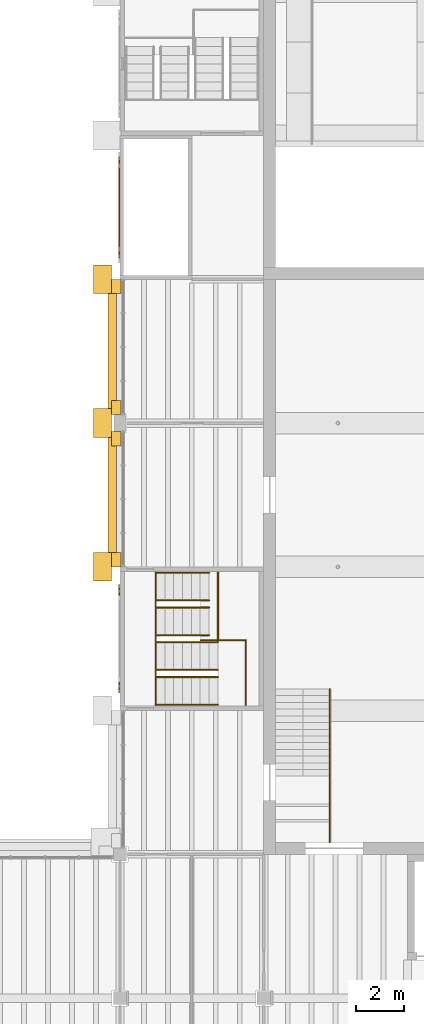
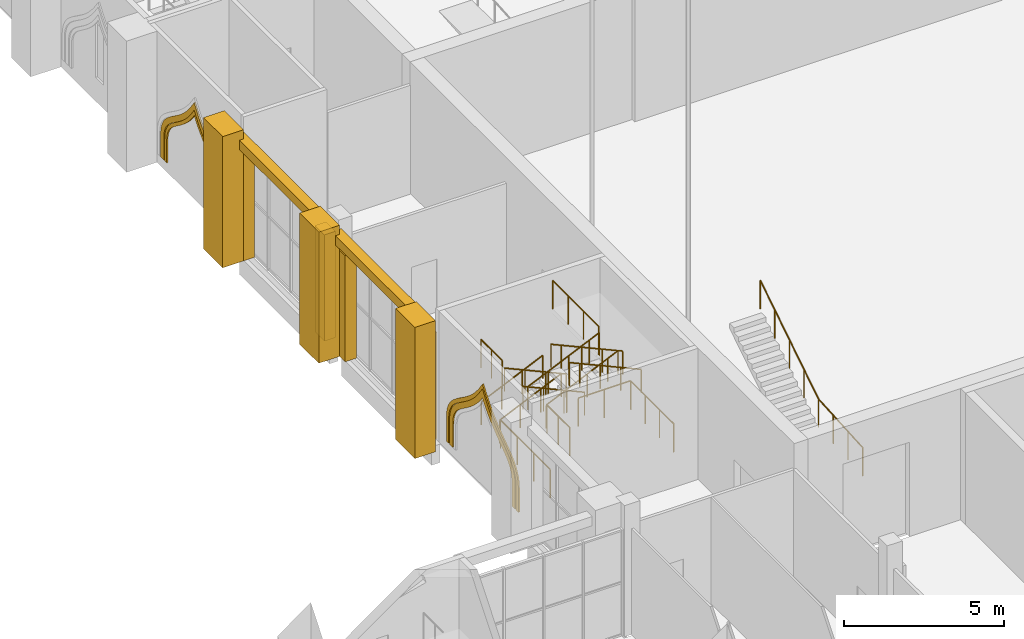
# One storey, part 63 of 80: 15 railings, 13 coverings.
"""IFC4 building model written with IfcOpenShell, lengths in metres."""

from ifc_helpers import new_model, si_unit, direction, frame, origin, origin_2d, place, context, subcontext, project, spatial, polyline, rectangle, circle, outline, extrude, material, layer, layer_set, type_object, element, save


model = new_model("IFC4")

# Units and contexts
model_context = context("Model", 3, precision=1e-05, world=origin(), true_north=direction((0.0, 1.0)))
body_context = subcontext(model_context, "Body", "Model", "MODEL_VIEW")
ifc_project = project(units=[si_unit("LENGTHUNIT", "METRE"), si_unit("AREAUNIT", "SQUARE_METRE"), si_unit("VOLUMEUNIT", "CUBIC_METRE"), si_unit("PLANEANGLEUNIT", "RADIAN"), si_unit("MASSUNIT", "GRAM", prefix="KILO")], contexts=[model_context])

# Site, building, storey
site_placement = place(None, origin())
site = spatial("IfcSite", under=ifc_project, at=site_placement, CompositionType="ELEMENT")
building_placement = place(site_placement, origin())
building = spatial("IfcBuilding", under=site, at=building_placement, Name="Saffron Lane Theatres", CompositionType="ELEMENT")
storey_placement = place(building_placement, frame((0.0, 0.0, 7.0)))
storey = spatial("IfcBuildingStorey", under=building, at=storey_placement, Name="L01", CompositionType="ELEMENT", Elevation=7.0)

# Coverings
ifc_material_1 = material(Name="Masonry sandstone", Category="masonry")
ifc_layer_1 = layer(ifc_material_1, 0.050048828125)
ifc_layer_set_1 = layer_set([ifc_layer_1], Name="Masonry sandstone")
covering_type_1 = type_object("IfcCoveringType", Name="EX-ARCH FRAME RING SANDSTONE 50", PredefinedType="CLADDING", material=ifc_layer_set_1)
covering_1_placement = place(storey_placement, frame((12.0, 36.962890625, 1.489013671875), z_axis=(1.0, 0.0, 0.0), x_axis=(0.0, -0.067277250526, -0.997734319126)))
element("IfcCovering", 1, at=covering_1_placement, inside=storey, type_object=covering_type_1, Name="Arch recess ring L01", PredefinedType="CLADDING", context=body_context, shape_type="SweptSolid", body=[
    extrude(outline(polyline([(0.0, 0.0), (0.19233029031026627, 1.734723475976807e-18), (1.0875142802486646, 0.060362279219764774), (1.0740621151654026, 0.2598604255488935), (0.18496781223338807, 0.19990877407892305), (0.015584020397099685, 0.20072197197738367), (-0.12930993244145556, 0.22300681743565523), (-0.25737744477051455, 0.26428900709195824), (-0.3738324043353903, 0.32568513851799763), (-0.4833823096412719, 0.4044308347113844), (-0.5899409854822366, 0.5005068813925055), (-0.6969186565818595, 0.6136833270214763), (-0.806455545762842, 0.7394113458537827), (-0.9222383154489977, 0.8779317362000586), (-1.0464893140129872, 1.0259136097170674), (-1.1832181277392173, 1.1811290396929053), (-1.336190755431839, 1.3413665245256616), (-1.5076131203535217, 1.5030515883918443), (-1.7018369469288772, 1.6654014043510899), (-1.9220589334515876, 1.8250193836201942), (-2.049700012736332, 1.9035239715952115), (-1.9337536117657297, 1.998453669562001), (-1.7369538320912872, 2.1861914371370204), (-1.5662836132441338, 2.3731460678639418), (-1.4181192040708015, 2.55638087603933), (-1.288043179706711, 2.735704338682526), (-1.1733897138094234, 2.9078704821698738), (-1.0701300058149192, 3.071193408419198), (-0.9739916676789238, 3.224003644458316), (-0.88232529816899, 3.363298804143827), (-0.7915099353012716, 3.489812439086117), (-0.6988140522933629, 3.5993242257405087), (-0.6008274244216893, 3.6920641156468856), (-0.493669077112157, 3.768538498045372), (-0.3723030096597413, 3.8266400003332506), (-0.23179456118898933, 3.869393012103157), (-0.06397115480191937, 3.8917206248289538), (0.8251231481300952, 3.9516722762989245), (0.8116709830468334, 4.151170422628053), (-0.08351300689156488, 4.090808143408289), (-0.27410223554270324, 4.064987870501222), (-0.4451520913660816, 4.014302770236232), (-0.5955924629503493, 3.941027255485577), (-0.7275034510174831, 3.846978625211365), (-0.844380195010638, 3.73681510258881), (-0.9502679206038257, 3.612466173180341), (-1.0472960038489982, 3.476479898388833), (-1.1427584332134457, 3.3317901747481002), (-1.2394961329102734, 3.176981963536964), (-1.3410042423826358, 3.0167134879306374), (-1.452105235905665, 2.849925483288521), (-1.5768114889333888, 2.678060260212532), (-1.7181938772187972, 2.503113004705068), (-1.8797940263653994, 2.3268024650682873), (-2.066256523608039, 2.1490601516926002), (-2.3929147724161153, 1.8803809916168037), (-2.033143501864625, 1.6579877914978223), (-1.8245728065730595, 1.5078613564498122), (-1.6407002082776134, 1.3538672728603436), (-1.4771110712833284, 1.199484255062579), (-1.3304608713065962, 1.045916604517425), (-1.197974384574279, 0.8955537098670809), (-1.0758691871722335, 0.7503634852332024), (-0.9592899546053444, 0.6109180202958803), (-0.8452014505102268, 0.4793795413270504), (-0.7307956008937585, 0.35765026200840155), (-0.6091726199284526, 0.24864238533224842), (-0.47856448398217566, 0.15516677446133414), (-0.335221619360768, 0.07967851847782517), (-0.17630589102074565, 0.02726289341672148), (0.0, 0.0)])), origin(), (0.0, 0.0, -1.0), 0.050048828125),
])
covering_2_placement = place(storey_placement, frame((12.0, 36.763916015625, 1.5029296875), z_axis=(1.0, 0.0, 0.0), x_axis=(0.0, -0.067065646472, -0.997748565052)))
element("IfcCovering", 2, at=covering_2_placement, inside=storey, type_object=covering_type_1, Name="Arch recess ring L01", PredefinedType="CLADDING", context=body_context, shape_type="SweptSolid", body=[
    extrude(outline(polyline([(0.0, 0.0), (0.2074984191926236, 1.734723475976807e-18), (1.1014772360238896, 0.06009055726342236), (1.0920952498353498, 0.19966817634906692), (0.20201388833631823, 0.13983959426717446), (0.011615956568756983, 0.14025496281157382), (-0.1545495581607764, 0.1660342398852799), (-0.3013217281198837, 0.216362774594851), (-0.435308245304982, 0.2876154279151693), (-0.5608118797206071, 0.37827952297569045), (-0.6813411454755376, 0.4895873772421637), (-0.8002551848645222, 0.616908751733141), (-0.9221167322992069, 0.7589581870874968), (-1.0488253950991717, 0.9148739228396727), (-1.186176225141812, 1.079861985519764), (-1.3360197094001713, 1.2523298417874185), (-1.5023331596762923, 1.4295632334296131), (-1.689857407544703, 1.6092859638033192), (-1.9023752941957186, 1.789530921019154), (-2.1427587800075587, 1.9657006129933605), (-2.3310778582787033, 2.0844417257822565), (-2.1603438640677535, 2.227317302169595), (-1.945699439841227, 2.434072596587418), (-1.7592153368547458, 2.6411372630123773), (-1.5974301505716484, 2.844339519030701), (-1.456331811517781, 3.0422362031160675), (-1.3309175129370854, 3.2332060565792715), (-1.2168824740506068, 3.4150915184680417), (-1.1121797264991542, 3.5865620306235555), (-1.01042477424689, 3.74364229201819), (-0.9096852630765426, 3.886706881200974), (-0.805070989599554, 4.01216943836774), (-0.6928953425442629, 4.119788383334645), (-0.5695843140065082, 4.207357034802879), (-0.4308678808794456, 4.276875251559516), (-0.2696471477012892, 4.324660443881734), (-0.08101754840905481, 4.350552898829916), (0.8090638130899768, 4.410381480911808), (0.799681826901437, 4.549959099997453), (-0.09429698992982904, 4.4898685427340315), (-0.299928835954052, 4.462099173491861), (-0.48175454911721033, 4.407790454445362), (-0.6417883508808035, 4.327785761836828), (-0.782322811336707, 4.22706951819905), (-0.9076463378150302, 4.107555693526036), (-1.0206021653451405, 3.9715000894631314), (-1.1270384876998094, 3.8221799810608545), (-1.2304638189878152, 3.660827685784956), (-1.3361409303723266, 3.48929167983406), (-1.4482927353880704, 3.3085115693691134), (-1.5720202814841786, 3.1215701588289084), (-1.7092559228779225, 2.928092869664417), (-1.8663186618097571, 2.7310806390702025), (-2.046457047981351, 2.531538567002596), (-2.253455933357439, 2.3311697793950295), (-2.5685790425867374, 2.0684776131577776), (-2.2211347453361867, 1.85032122778061), (-1.9891827239193753, 1.6794573949928497), (-1.7839602141162927, 1.5058181189990123), (-1.6019443391437345, 1.3315977291979), (-1.440050283788488, 1.1582270352158286), (-1.292417502377776, 0.9895256466896438), (-1.1570808937966353, 0.8253809602518462), (-1.0293978671636117, 0.6695307182950527), (-0.9053092434324345, 0.5234712242409627), (-0.7798469735191562, 0.38973863913971574), (-0.6496990247011458, 0.27002373702473836), (-0.5095084066710004, 0.16835697159344964), (-0.356759353376265, 0.08735436036579791), (-0.18752367336143377, 0.030460934429599087), (0.0, 0.0)])), origin(), (0.0, 0.0, -1.0), 0.050048828125),
])
covering_3_placement = place(storey_placement, frame((12.0, 55.172119140625, 1.409912109375), z_axis=(1.0, 0.0, 0.0), x_axis=(0.0, -0.070052199931, -0.997543327021)))
element("IfcCovering", 3, at=covering_3_placement, inside=storey, type_object=covering_type_1, Name="Arch recess ring L01", PredefinedType="CLADDING", context=body_context, shape_type="SweptSolid", body=[
    extrude(outline(polyline([(0.0, 0.0), (0.17425621553607237, 0.0), (1.0083836313192909, 0.05857636346792266), (0.9999691580853587, 0.17839846231911788), (0.16998193677464074, 0.12011284284505058), (0.008475358446763137, 0.11978447315787273), (-0.13122884085953554, 0.14007703572194855), (-0.25643688668396236, 0.1804774529010626), (-0.36863123134342224, 0.2376999755128916), (-0.475135202965496, 0.3114750667725438), (-0.5766623215162807, 0.40150787806507393), (-0.6771475504137906, 0.504585175180744), (-0.7805046458670767, 0.6206768575648959), (-0.8874854376390734, 0.7465484837988279), (-1.0033794141074037, 0.8808496335440211), (-1.1304680604944384, 1.021217413259825), (-1.2708235263469732, 1.16579311369611), (-1.4294062462519381, 1.3120257128456132), (-1.6092454305735489, 1.457744550255386), (-1.8116655037167557, 1.600898683587597), (-1.9675111254583906, 1.6942145076483905), (-1.8262369085852725, 1.8083954889152765), (-1.6458107634478316, 1.9784348903851732), (-1.4881023278349776, 2.147857914588097), (-1.3515135359357788, 2.314818850240701), (-1.2327415359800378, 2.477591704174759), (-1.1265180467990952, 2.634343763073707), (-1.0305314826159215, 2.7835241642691466), (-0.9421925116264172, 2.923112065977903), (-0.8560748247499679, 3.052509561727907), (-0.7710503352904147, 3.169593194208742), (-0.6830342611599683, 3.2719576554618297), (-0.5878864078861283, 3.3598936894810265), (-0.48479063997555455, 3.4322348997733356), (-0.3664578344764139, 3.4897379048262955), (-0.2309608717870813, 3.5293563916878172), (-0.07099352636784984, 3.551603437994116), (0.7589936949428681, 3.6098890574681834), (0.7505792217089358, 3.7297111563193788), (-0.08354819407428274, 3.6711347928514564), (-0.2560941508229705, 3.6467807077190995), (-0.41031365850955975, 3.6019315653822406), (-0.5452154511408824, 3.5364122353410514), (-0.6637521194874794, 3.4539312427500963), (-0.7689145641167288, 3.3552575199601846), (-0.8653088539948147, 3.243249251456792), (-0.955088546986812, 3.1206921067528115), (-1.042043576565565, 2.9892778738407233), (-1.1314634311086964, 2.847656132382009), (-1.2263691117382427, 2.7005095709365277), (-1.330849505163083, 2.5468168229564525), (-1.4460155954915024, 2.388457804900878), (-1.5790497855270011, 2.226641327680726), (-1.7308537237022885, 2.0637514920456117), (-1.905776940165441, 1.8989933697111585), (-2.17500793078607, 1.679643102779874), (-1.8777629012280812, 1.5000734552431552), (-1.6815298602741167, 1.361379676828443), (-1.5084503027837648, 1.2213046934170393), (-1.354106288257454, 1.0796692698880261), (-1.2179382200199516, 0.9389601225182603), (-1.0930031314979913, 0.8013780123153483), (-0.9784636799892698, 0.6689396764413744), (-0.8701283632576645, 0.5412052363362231), (-0.7656602836960934, 0.423233637492978), (-0.6596331322239424, 0.31442697343956955), (-0.5485306167743488, 0.2169901098046939), (-0.43060964159121035, 0.13398235750722476), (-0.3017088049930627, 0.0688775941960976), (-0.15897402711551847, 0.02285521433109288), (0.0, 0.0)])), origin(), (0.0, 0.0, -1.0), 0.050048828125),
])
covering_4_placement = place(storey_placement, frame((12.0, 54.9130859375, 1.43408203125), z_axis=(1.0, 0.0, 0.0), x_axis=(0.0, -0.066765192838, -0.997768715197)))
element("IfcCovering", 4, at=covering_4_placement, inside=storey, type_object=covering_type_1, Name="Arch recess ring L01", PredefinedType="CLADDING", context=body_context, shape_type="SweptSolid", body=[
    extrude(outline(polyline([(0.0, 0.0), (0.19746207851001016, -1.734723475976807e-18), (1.032752343258408, 0.05589302886792253), (1.0193862646139937, 0.2556416486094466), (0.19018589680893505, 0.20015612213921966), (0.01570333128541921, 0.20047035176588712), (-0.1331419000577435, 0.22354313752340954), (-0.26425806041849825, 0.2668878092249602), (-0.38470943025111837, 0.33003166408921236), (-0.49751605510296987, 0.4105704379697621), (-0.6073877571305295, 0.5094124084330288), (-0.717182486482969, 0.6253875908171841), (-0.8291243006908221, 0.7551662377526137), (-0.9480362170210368, 0.8976915596879602), (-1.0753952052750386, 1.0494391136635992), (-1.215228294702943, 1.2084266269049624), (-1.3715462144589585, 1.3724282307597484), (-1.5480997977236517, 1.5389907607938302), (-1.7475513934952998, 1.7040210818125767), (-1.9731329485680709, 1.8682816760801204), (-2.106857124274077, 1.9506016882190418), (-1.9853580204989376, 2.050978584380295), (-1.7836072056434027, 2.242855163359225), (-1.6079863500889906, 2.433962015586952), (-1.455133106274271, 2.621587891777475), (-1.32205912328281, 2.804954009570754), (-1.204654965824069, 2.9811544240907777), (-1.0986491032093144, 3.14851746994611), (-0.9997863048457212, 3.3056150776230493), (-0.9061331982464446, 3.4491510055046812), (-0.81276896556909, 3.5787204678759603), (-0.71704574678952, 3.691319719285429), (-0.6159751909913005, 3.7861699773730466), (-0.505010476977033, 3.86479892334973), (-0.3808381574730106, 3.9252260955626785), (-0.2363939520249598, 3.9679241967932186), (-0.06350879590041061, 3.9914823631844407), (0.7656915719046481, 4.046967889654668), (0.7523254932602339, 4.246716509396191), (-0.082964771488164, 4.190823480528269), (-0.2786664396401293, 4.164515125733044), (-0.45359091887492387, 4.112926227745671), (-0.6078197096720868, 4.037274765954816), (-0.7428804932425346, 3.9421075615578793), (-0.8625413084236253, 3.828885284260379), (-0.9702297031604206, 3.7012935668592486), (-1.0710457963503013, 3.5624167497246026), (-1.1684977308569842, 3.4134882067801335), (-1.2680424165660549, 3.2556109111822695), (-1.3722136128302955, 3.090083437238335), (-1.486062538259364, 2.919259337685241), (-1.6147373064774804, 2.743283502264392), (-1.759115405981016, 2.5642993935876657), (-1.9263100175119678, 2.3825650965069367), (-2.117458525540348, 2.2004513694159087), (-2.4500837160006714, 1.92763485308492), (-2.084075929121128, 1.7015670118175656), (-1.8703680883563218, 1.5465440441253384), (-1.6804511431298657, 1.3887056876454766), (-1.5135137108899042, 1.2305531015389473), (-1.362540411469887, 1.073289776220278), (-1.2269471580997835, 0.9191569748767946), (-1.1016510375390052, 0.7689841912780282), (-0.9819594332878663, 0.6257769819972043), (-0.8655341871444783, 0.49115992325980296), (-0.7471139903741495, 0.3669531924421973), (-0.6233863012640571, 0.25484656615349843), (-0.4897074036022392, 0.15857638860013262), (-0.3431713525126846, 0.08225209507263867), (-0.18023831050074463, 0.02782335815376883), (0.0, 0.0)])), origin(), (0.0, 0.0, -1.0), 0.050048828125),
])
ifc_material_2 = material(Name="Masonry sandstone", Category="masonry")
ifc_layer_2 = layer(ifc_material_2, 1.199951171875)
ifc_layer_set_2 = layer_set([ifc_layer_2], Name="Masonry sandstone")
covering_type_2 = type_object("IfcCoveringType", Name="EX-FLANK BUTTRESS PIER SANDSTONE 1200", PredefinedType="CLADDING", material=ifc_layer_set_2)
for number, where, z_axis, x_axis, name in (
    (5, (11.27490234375, 42.0, 0.0), (0.0, 0.0, 1.0), (0.0, 1.0, 0.0), "Flank buttress west L01"),
    (6, (11.27490234375, 48.0, 0.0), (0.0, 0.0, 1.0), (0.0, 1.0, 0.0), "Flank buttress west L01"),
    (7, (11.27490234375, 54.0, 0.0), (0.0, 0.0, 1.0), (0.0, 1.0, 0.0), "Flank buttress west L01"),
):
    element("IfcCovering", number, at=place(storey_placement, frame(where, z_axis=z_axis, x_axis=x_axis)), inside=storey, type_object=covering_type_2, Name=name, PredefinedType="CLADDING", context=body_context, shape_type="SweptSolid", body=[
        extrude(rectangle(XDim=1.199951171875, YDim=0.75, at=origin_2d()), origin(), (0.0, 0.0, 1.0), 5.0),
    ])
ifc_material_3 = material(Name="Masonry sandstone", Category="masonry")
ifc_layer_3 = layer(ifc_material_3, 0.39990234375)
ifc_layer_set_3 = layer_set([ifc_layer_3], Name="Masonry sandstone")
covering_type_3 = type_object("IfcCoveringType", Name="EX-PILASTER PIER SANDSTONE 400", PredefinedType="CLADDING", material=ifc_layer_set_3)
for number, where, z_axis, x_axis, name in (
    (8, (11.85009765625, 42.300048828125, 0.0), (0.0, 0.0, 1.0), (0.0, 1.0, 0.0), "Pilaster pier L01"),
    (9, (11.85009765625, 47.35009765625, 0.0), (0.0, 0.0, 1.0), (0.0, 1.0, 0.0), "Pilaster pier L01"),
    (10, (11.85009765625, 48.64990234375, 0.0), (0.0, 0.0, 1.0), (0.0, 1.0, 0.0), "Pilaster pier L01"),
    (11, (11.85009765625, 53.699951171875, 0.0), (0.0, 0.0, 1.0), (0.0, 1.0, 0.0), "Pilaster pier L01"),
):
    element("IfcCovering", number, at=place(storey_placement, frame(where, z_axis=z_axis, x_axis=x_axis)), inside=storey, type_object=covering_type_3, Name=name, PredefinedType="CLADDING", context=body_context, shape_type="SweptSolid", body=[
        extrude(rectangle(XDim=0.60009765625, YDim=0.39990234375, at=origin_2d()), origin(), (0.0, 0.0, 1.0), 4.050048828125),
    ])
ifc_material_4 = material(Name="Masonry sandstone", Category="masonry")
ifc_layer_4 = layer(ifc_material_4, 0.300048828125)
ifc_layer_set_4 = layer_set([ifc_layer_4], Name="Masonry sandstone")
covering_type_4 = type_object("IfcCoveringType", Name="EX-STRING COURSE SANDSTONE 350", PredefinedType="CLADDING", material=ifc_layer_set_4)
for number, where, z_axis, x_axis, name in (
    (12, (11.675048828125, 44.824951171875, 4.300048828125), (0.0, 0.0, 1.0), (0.0, 1.0, 0.0), "String course L01"),
    (13, (11.675048828125, 51.175048828125, 4.300048828125), (0.0, 0.0, 1.0), (0.0, 1.0, 0.0), "String course L01"),
):
    element("IfcCovering", number, at=place(storey_placement, frame(where, z_axis=z_axis, x_axis=x_axis)), inside=storey, type_object=covering_type_4, Name=name, PredefinedType="CLADDING", context=body_context, shape_type="SweptSolid", body=[
        extrude(rectangle(XDim=5.64990234375, YDim=0.35009765625, at=origin_2d()), origin(), (0.0, 0.0, 1.0), 0.35009765625),
    ])

# Railings
ifc_material_5 = material(Name="Steel Grade 350", Category="steel")
railing_type_1 = type_object("IfcRailingType", Name="VC-GUARD 1100", PredefinedType="GUARDRAIL", material=ifc_material_5)
railing_1_placement = place(storey_placement, frame((17.25, 38.89990234375, 1.166748046875)))
element("IfcRailing", 14, at=railing_1_placement, inside=storey, type_object=railing_type_1, Name="Stage West Stair landing guard 2N1s", PredefinedType="GUARDRAIL", context=body_context, shape_type="SweptSolid", body=[
    extrude(circle(Radius=0.02392578125, at=origin_2d()), frame((0.0, 0.0, 1.076171875), z_axis=(0.0, -1.0, 0.0), x_axis=(1.0, 0.0, 0.0)), (0.0, 0.0, 1.0), 2.669921875),
    extrude(circle(Radius=0.02099609375, at=origin_2d()), origin(), (0.0, 0.0, 1.0), 1.052001953125),
    extrude(circle(Radius=0.02099609375, at=origin_2d()), frame((0.0, -0.889892578125, 0.0)), (0.0, 0.0, 1.0), 1.052001953125),
    extrude(circle(Radius=0.02099609375, at=origin_2d()), frame((0.0, -1.780029296875, 0.0)), (0.0, 0.0, 1.0), 1.052001953125),
    extrude(circle(Radius=0.02099609375, at=origin_2d()), frame((0.0, -2.669921875, 0.0)), (0.0, 0.0, 1.0), 1.052001953125),
])
railing_2_placement = place(storey_placement, frame((15.3701171875, 38.929931640625, 1.166748046875)))
element("IfcRailing", 15, at=railing_2_placement, inside=storey, type_object=railing_type_1, Name="Stage West Stair landing guard 2N1e", PredefinedType="GUARDRAIL", context=body_context, shape_type="SweptSolid", body=[
    extrude(circle(Radius=0.02392578125, at=origin_2d()), frame((0.0, 0.0, 1.076171875), z_axis=(1.0, 0.0, 0.0), x_axis=(0.0, 1.0, 0.0)), (0.0, 0.0, 1.0), 1.8798828125),
    extrude(circle(Radius=0.02099609375, at=origin_2d()), origin(), (0.0, 0.0, 1.0), 1.052001953125),
    extrude(circle(Radius=0.02099609375, at=origin_2d()), frame((0.93994140625, 0.0, 0.0)), (0.0, 0.0, 1.0), 1.052001953125),
    extrude(circle(Radius=0.02099609375, at=origin_2d()), frame((1.8798828125, 0.0, 0.0)), (0.0, 0.0, 1.0), 1.052001953125),
])
railing_3_placement = place(storey_placement, frame((16.090087890625, 41.77001953125, 3.666748046875)))
element("IfcRailing", 16, at=railing_3_placement, inside=storey, type_object=railing_type_1, Name="Stage West Stair landing guard 2N2s", PredefinedType="GUARDRAIL", context=body_context, shape_type="SweptSolid", body=[
    extrude(circle(Radius=0.02392578125, at=origin_2d()), frame((0.0, 0.0, 1.076171875), z_axis=(0.0, -1.0, 0.0), x_axis=(1.0, 0.0, 0.0)), (0.0, 0.0, 1.0), 2.8701171875),
    extrude(circle(Radius=0.02099609375, at=origin_2d()), origin(), (0.0, 0.0, 1.0), 1.052001953125),
    extrude(circle(Radius=0.02099609375, at=origin_2d()), frame((0.0, -0.956787109375, 0.0)), (0.0, 0.0, 1.0), 1.052001953125),
    extrude(circle(Radius=0.02099609375, at=origin_2d()), frame((0.0, -1.913330078125, 0.0)), (0.0, 0.0, 1.0), 1.052001953125),
    extrude(circle(Radius=0.02099609375, at=origin_2d()), frame((0.0, -2.8701171875, 0.0)), (0.0, 0.0, 1.0), 1.052001953125),
])
railing_4_placement = place(storey_placement, frame((13.5, 41.77001953125, 2.333251953125)))
element("IfcRailing", 17, at=railing_4_placement, inside=storey, type_object=railing_type_1, Name="Stage West Stair landing guard 2S2w", PredefinedType="GUARDRAIL", context=body_context, shape_type="SweptSolid", body=[
    extrude(circle(Radius=0.02392578125, at=origin_2d()), frame((0.0, 0.0, 1.076171875), z_axis=(0.0, -1.0, 0.0), x_axis=(1.0, 0.0, 0.0)), (0.0, 0.0, 1.0), 1.320068359375),
    extrude(circle(Radius=0.02099609375, at=origin_2d()), origin(), (0.0, 0.0, 1.0), 1.052001953125),
    extrude(circle(Radius=0.02099609375, at=origin_2d()), frame((0.0, -0.66015625, 0.0)), (0.0, 0.0, 1.0), 1.052001953125),
    extrude(circle(Radius=0.02099609375, at=origin_2d()), frame((0.0, -1.320068359375, 0.0)), (0.0, 0.0, 1.0), 1.052001953125),
])
railing_5_placement = place(storey_placement, frame((13.5, 37.64990234375, 2.333251953125)))
element("IfcRailing", 18, at=railing_5_placement, inside=storey, type_object=railing_type_1, Name="Stage West Stair landing guard 2S2e", PredefinedType="GUARDRAIL", context=body_context, shape_type="SweptSolid", body=[
    extrude(circle(Radius=0.02392578125, at=origin_2d()), frame((0.0, 0.0, 1.076171875), z_axis=(0.0, -1.0, 0.0), x_axis=(1.0, 0.0, 0.0)), (0.0, 0.0, 1.0), 1.419921875),
    extrude(circle(Radius=0.02099609375, at=origin_2d()), origin(), (0.0, 0.0, 1.0), 1.052001953125),
    extrude(circle(Radius=0.02099609375, at=origin_2d()), frame((0.0, -0.7099609375, 0.0)), (0.0, 0.0, 1.0), 1.052001953125),
    extrude(circle(Radius=0.02099609375, at=origin_2d()), frame((0.0, -1.419921875, 0.0)), (0.0, 0.0, 1.0), 1.052001953125),
])
railing_6_placement = place(storey_placement, frame((13.5, 40.550048828125, 0.0)))
element("IfcRailing", 19, at=railing_6_placement, inside=storey, type_object=railing_type_1, Name="Stage West Stair guard L01", PredefinedType="GUARDRAIL", context=body_context, shape_type="SweptSolid", body=[
    extrude(circle(Radius=0.02392578125, at=origin_2d()), frame((0.0, 0.0, 1.076171875), z_axis=(0.0, -1.0, 0.0), x_axis=(1.0, 0.0, 0.0)), (0.0, 0.0, 1.0), 3.10009765625),
    extrude(circle(Radius=0.02099609375, at=origin_2d()), origin(), (0.0, 0.0, 1.0), 1.052001953125),
    extrude(circle(Radius=0.02099609375, at=origin_2d()), frame((0.0, -1.033447265625, 0.0)), (0.0, 0.0, 1.0), 1.052001953125),
    extrude(circle(Radius=0.02099609375, at=origin_2d()), frame((0.0, -2.066650390625, 0.0)), (0.0, 0.0, 1.0), 1.052001953125),
    extrude(circle(Radius=0.02099609375, at=origin_2d()), frame((0.0, -3.10009765625, 0.0)), (0.0, 0.0, 1.0), 1.052001953125),
])
ifc_material_6 = material(Name="Steel Grade 350", Category="steel")
railing_type_2 = type_object("IfcRailingType", Name="VC-HANDRAIL 900", PredefinedType="HANDRAIL", material=ifc_material_6)
for number, where, name in (
    (20, (13.5, 41.75, 0.166748046875), "Stage West Stair handrail 2.1a"),
    (21, (13.5, 40.60009765625, 0.166748046875), "Stage West Stair handrail 2.1b"),
):
    element("IfcRailing", number, at=place(storey_placement, frame(where)), inside=storey, type_object=railing_type_2, Name=name, PredefinedType="HANDRAIL", context=body_context, shape_type="SweptSolid", body=[
        extrude(circle(Radius=0.02392578125, at=origin_2d()), frame((0.0, 0.0, 0.8759765625), z_axis=(0.911803263409, 0.0, 0.410627335715), x_axis=(0.0, 1.0, 0.0)), (0.0, 0.0, 1.0), 0.8115234375),
        extrude(circle(Radius=0.02392578125, at=origin_2d()), frame((0.739990234375, 0.0, 1.208984375), z_axis=(0.911803263409, 0.0, 0.410627335715), x_axis=(0.0, 1.0, 0.0)), (0.0, 0.0, 1.0), 0.8115234375),
        extrude(circle(Radius=0.02392578125, at=origin_2d()), frame((1.47998046875, 0.0, 1.54248046875), z_axis=(0.911690610408, 0.0, 0.410877391559), x_axis=(0.0, 1.0, 0.0)), (0.0, 0.0, 1.0), 0.811767578125),
        extrude(circle(Radius=0.02099609375, at=origin_2d()), origin(), (0.0, 0.0, 1.0), 0.851806640625),
        extrude(circle(Radius=0.02099609375, at=origin_2d()), frame((0.739990234375, 0.0, 0.333251953125)), (0.0, 0.0, 1.0), 0.851806640625),
        extrude(circle(Radius=0.02099609375, at=origin_2d()), frame((1.47998046875, 0.0, 0.66650390625)), (0.0, 0.0, 1.0), 0.851806640625),
        extrude(circle(Radius=0.02099609375, at=origin_2d()), frame((2.219970703125, 0.0, 1.0)), (0.0, 0.0, 1.0), 0.851806640625),
    ])
for number, where, name in (
    (22, (15.719970703125, 40.300048828125, 1.333251953125), "Stage West Stair handrail 2.2a"),
    (23, (15.719970703125, 39.14990234375, 1.333251953125), "Stage West Stair handrail 2.2b"),
):
    element("IfcRailing", number, at=place(storey_placement, frame(where)), inside=storey, type_object=railing_type_2, Name=name, PredefinedType="HANDRAIL", context=body_context, shape_type="SweptSolid", body=[
        extrude(circle(Radius=0.02392578125, at=origin_2d()), frame((0.0, 0.0, 0.8759765625), z_axis=(-0.911690610408, 0.0, 0.410877391559), x_axis=(0.0, -1.0, 0.0)), (0.0, 0.0, 1.0), 0.811767578125),
        extrude(circle(Radius=0.02392578125, at=origin_2d()), frame((-0.739990234375, 0.0, 1.20947265625), z_axis=(-0.911803263409, 0.0, 0.410627335715), x_axis=(0.0, -1.0, 0.0)), (0.0, 0.0, 1.0), 0.8115234375),
        extrude(circle(Radius=0.02392578125, at=origin_2d()), frame((-1.47998046875, 0.0, 1.54248046875), z_axis=(-0.911803263409, 0.0, 0.410627335715), x_axis=(0.0, -1.0, 0.0)), (0.0, 0.0, 1.0), 0.8115234375),
        extrude(circle(Radius=0.02099609375, at=origin_2d()), origin(), (0.0, 0.0, 1.0), 0.851806640625),
        extrude(circle(Radius=0.02099609375, at=origin_2d()), frame((-0.739990234375, 0.0, 0.33349609375)), (0.0, 0.0, 1.0), 0.851806640625),
        extrude(circle(Radius=0.02099609375, at=origin_2d()), frame((-1.47998046875, 0.0, 0.666748046875)), (0.0, 0.0, 1.0), 0.851806640625),
        extrude(circle(Radius=0.02099609375, at=origin_2d()), frame((-2.219970703125, 0.0, 1.0)), (0.0, 0.0, 1.0), 0.851806640625),
    ])
for number, where, name in (
    (24, (13.5, 38.85009765625, 2.5), "Stage West Stair handrail 2.3a"),
    (25, (13.5, 37.699951171875, 2.5), "Stage West Stair handrail 2.3b"),
):
    element("IfcRailing", number, at=place(storey_placement, frame(where)), inside=storey, type_object=railing_type_2, Name=name, PredefinedType="HANDRAIL", context=body_context, shape_type="SweptSolid", body=[
        extrude(circle(Radius=0.02392578125, at=origin_2d()), frame((0.0, 0.0, 0.8759765625), z_axis=(0.911803263409, 0.0, 0.410627335715), x_axis=(0.0, 1.0, 0.0)), (0.0, 0.0, 1.0), 0.8115234375),
        extrude(circle(Radius=0.02392578125, at=origin_2d()), frame((0.739990234375, 0.0, 1.208984375), z_axis=(0.911690610408, 0.0, 0.410877391559), x_axis=(0.0, 1.0, 0.0)), (0.0, 0.0, 1.0), 0.811767578125),
        extrude(circle(Radius=0.02392578125, at=origin_2d()), frame((1.47998046875, 0.0, 1.54248046875), z_axis=(0.911803263409, 0.0, 0.410627335715), x_axis=(0.0, 1.0, 0.0)), (0.0, 0.0, 1.0), 0.8115234375),
        extrude(circle(Radius=0.02392578125, at=origin_2d()), frame((2.219970703125, 0.0, 1.8759765625), z_axis=(0.911741368748, 0.0, 0.410764745947), x_axis=(0.0, 1.0, 0.0)), (0.0, 0.0, 1.0), 0.406005859375),
        extrude(circle(Radius=0.02099609375, at=origin_2d()), origin(), (0.0, 0.0, 1.0), 0.851806640625),
        extrude(circle(Radius=0.02099609375, at=origin_2d()), frame((0.739990234375, 0.0, 0.333251953125)), (0.0, 0.0, 1.0), 0.851806640625),
        extrude(circle(Radius=0.02099609375, at=origin_2d()), frame((1.47998046875, 0.0, 0.666748046875)), (0.0, 0.0, 1.0), 0.851806640625),
        extrude(circle(Radius=0.02099609375, at=origin_2d()), frame((2.219970703125, 0.0, 1.0)), (0.0, 0.0, 1.0), 0.851806640625),
        extrude(circle(Radius=0.02099609375, at=origin_2d()), frame((2.590087890625, 0.0, 1.166748046875)), (0.0, 0.0, 1.0), 0.851806640625),
    ])
for number, where, name in (
    (26, (16.090087890625, 37.39990234375, 3.833251953125), "Stage West Stair handrail 2.4a"),
    (27, (16.090087890625, 36.25, 3.833251953125), "Stage West Stair handrail 2.4b"),
):
    element("IfcRailing", number, at=place(storey_placement, frame(where)), inside=storey, type_object=railing_type_2, Name=name, PredefinedType="HANDRAIL", context=body_context, shape_type="SweptSolid", body=[
        extrude(circle(Radius=0.02392578125, at=origin_2d()), frame((0.0, 0.0, 0.8759765625), z_axis=(-0.911690610408, 0.0, 0.410877391559), x_axis=(0.0, -1.0, 0.0)), (0.0, 0.0, 1.0), 0.811767578125),
        extrude(circle(Radius=0.02392578125, at=origin_2d()), frame((-0.739990234375, 0.0, 1.20947265625), z_axis=(-0.911803263409, 0.0, 0.410627335715), x_axis=(0.0, -1.0, 0.0)), (0.0, 0.0, 1.0), 0.8115234375),
        extrude(circle(Radius=0.02392578125, at=origin_2d()), frame((-1.47998046875, 0.0, 1.54248046875), z_axis=(-0.911803263409, 0.0, 0.410627335715), x_axis=(0.0, -1.0, 0.0)), (0.0, 0.0, 1.0), 0.8115234375),
        extrude(circle(Radius=0.02392578125, at=origin_2d()), frame((-2.219970703125, 0.0, 1.8759765625), z_axis=(-0.911741368748, 0.0, 0.410764745947), x_axis=(0.0, -1.0, 0.0)), (0.0, 0.0, 1.0), 0.406005859375),
        extrude(circle(Radius=0.02099609375, at=origin_2d()), origin(), (0.0, 0.0, 1.0), 0.851806640625),
        extrude(circle(Radius=0.02099609375, at=origin_2d()), frame((-0.739990234375, 0.0, 0.33349609375)), (0.0, 0.0, 1.0), 0.851806640625),
        extrude(circle(Radius=0.02099609375, at=origin_2d()), frame((-1.47998046875, 0.0, 0.666748046875)), (0.0, 0.0, 1.0), 0.851806640625),
        extrude(circle(Radius=0.02099609375, at=origin_2d()), frame((-2.219970703125, 0.0, 1.0)), (0.0, 0.0, 1.0), 0.851806640625),
        extrude(circle(Radius=0.02099609375, at=origin_2d()), frame((-2.590087890625, 0.0, 1.166748046875)), (0.0, 0.0, 1.0), 0.851806640625),
    ])
railing_7_placement = place(storey_placement, frame((20.760009765625, 30.5, 2.5)))
element("IfcRailing", 28, at=railing_7_placement, inside=storey, Name="FHW7", PredefinedType="HANDRAIL", context=body_context, shape_type="SweptSolid", body=[
    extrude(circle(Radius=0.02392578125, at=origin_2d()), frame((0.0, 0.0, 1.076171875), z_axis=(0.0, 0.997915968175, 0.06452689719), x_axis=(-1.0, 0.0, 0.0)), (0.0, 0.0, 1.0), 2.765869140625),
    extrude(circle(Radius=0.02392578125, at=origin_2d()), frame((0.0, 2.760009765625, 1.25439453125), z_axis=(0.0, 0.843111507901, 0.53773877045), x_axis=(-1.0, 0.0, 0.0)), (0.0, 0.0, 1.0), 4.317138671875),
    extrude(circle(Radius=0.02099609375, at=origin_2d()), origin(), (0.0, 0.0, 1.0), 1.052001953125),
    extrude(circle(Radius=0.02099609375, at=origin_2d()), frame((0.0, 0.919921875, 0.0595703125)), (0.0, 0.0, 1.0), 1.052001953125),
    extrude(circle(Radius=0.02099609375, at=origin_2d()), frame((0.0, 1.840087890625, 0.118896484375)), (0.0, 0.0, 1.0), 1.052001953125),
    extrude(circle(Radius=0.02099609375, at=origin_2d()), frame((0.0, 2.760009765625, 0.178466796875)), (0.0, 0.0, 1.0), 1.052001953125),
    extrude(circle(Radius=0.02099609375, at=origin_2d()), frame((0.0, 3.669921875, 0.7587890625)), (0.0, 0.0, 1.0), 1.052001953125),
    extrude(circle(Radius=0.02099609375, at=origin_2d()), frame((0.0, 4.580078125, 1.33935546875)), (0.0, 0.0, 1.0), 1.052001953125),
    extrude(circle(Radius=0.02099609375, at=origin_2d()), frame((0.0, 5.489990234375, 1.919677734375)), (0.0, 0.0, 1.0), 1.052001953125),
    extrude(circle(Radius=0.02099609375, at=origin_2d()), frame((0.0, 6.39990234375, 2.5)), (0.0, 0.0, 1.0), 1.052001953125),
])

save(model, "model.ifc")
